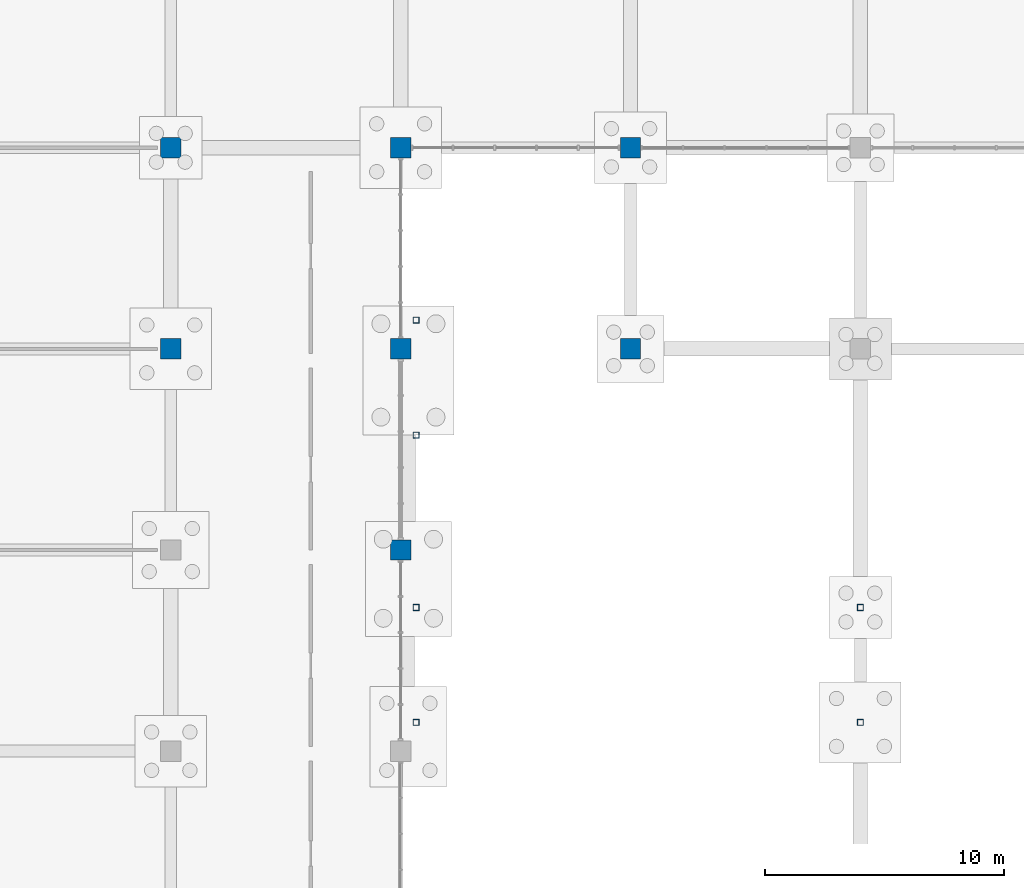
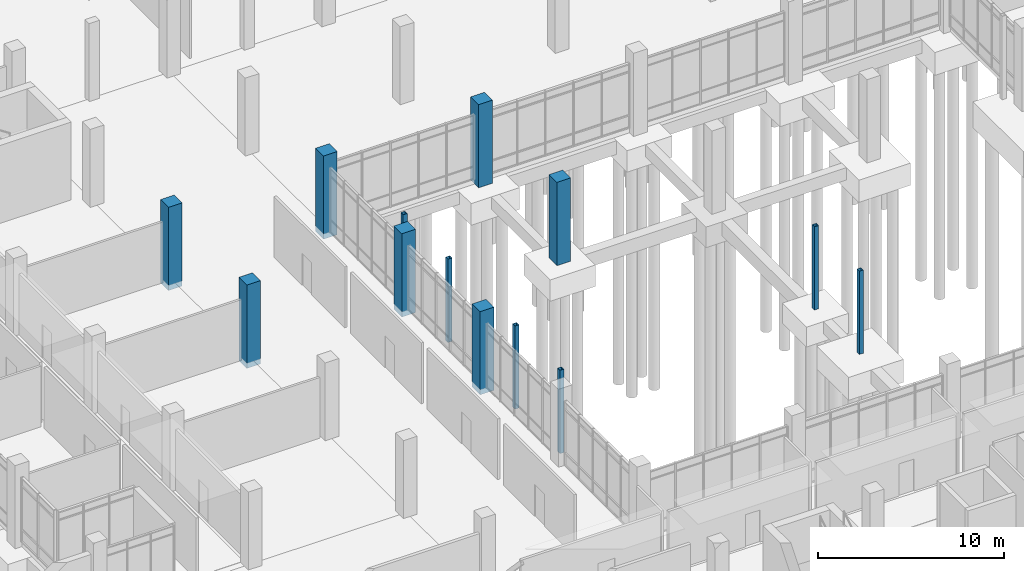
# One storey, part 23 of 136: 13 columns.
"""IFC4 building model written with IfcOpenShell, lengths in metres."""

from ifc_helpers import new_model, si_unit, direction, frame, origin, origin_2d, place, context, subcontext, project, spatial, rectangle, hollow_rectangle, extrude, material, material_profile, profile_set, type_object, element, save


model = new_model("IFC4")

# Units and contexts
model_context = context("Model", 3, precision=1e-05, world=origin(), true_north=direction((0.0, 1.0)))
body_context = subcontext(model_context, "Body", "Model", "MODEL_VIEW")
ifc_project = project(units=[si_unit("LENGTHUNIT", "METRE"), si_unit("AREAUNIT", "SQUARE_METRE"), si_unit("VOLUMEUNIT", "CUBIC_METRE"), si_unit("PLANEANGLEUNIT", "RADIAN"), si_unit("MASSUNIT", "GRAM", prefix="KILO")], contexts=[model_context])

# Site, building, storey
site_placement = place(None, origin())
site = spatial("IfcSite", under=ifc_project, at=site_placement, CompositionType="ELEMENT")
building_placement = place(site_placement, origin())
building = spatial("IfcBuilding", under=site, at=building_placement, Name="Oolite Switchyard Hospital", CompositionType="ELEMENT")
storey_placement = place(building_placement, origin())
storey = spatial("IfcBuildingStorey", under=building, at=storey_placement, Name="L00", CompositionType="ELEMENT", Elevation=0.0)

# Columns
ifc_material_1 = material(Name="Steel ASTM A500 Grade C", Category="steel")
ifc_material_profile_1 = material_profile(ifc_material_1, hollow_rectangle(XDim=0.25390625, YDim=0.25390625, WallThickness=0.012939453125, at=origin_2d()), Name="HSS254X254X13")
ifc_profile_set_1 = profile_set([ifc_material_profile_1], Name="Steel ASTM A500 Grade C")
column_type_1 = type_object("IfcColumnType", Name="COL-HSS254", PredefinedType="COLUMN", material=ifc_profile_set_1)
for number, where, z_axis, x_axis, name in (
    (1, (144.64990234375, 34.800048828125, -0.35009765625), (0.0, 0.0, 1.0), (1.0, 0.0, 0.0), "L00 Column 219"),
    (2, (144.64990234375, 39.60009765625, -0.35009765625), (0.0, 0.0, 1.0), (1.0, 0.0, 0.0), "L00 Column 220"),
    (3, (144.64990234375, 46.800048828125, -0.35009765625), (0.0, 0.0, 1.0), (1.0, 0.0, 0.0), "L00 Column 221"),
    (4, (144.64990234375, 51.60009765625, -0.35009765625), (0.0, 0.0, 1.0), (1.0, 0.0, 0.0), "L00 Column 222"),
    (5, (163.199951171875, 34.800048828125, -0.35009765625), (0.0, 0.0, 1.0), (1.0, 0.0, 0.0), "L00 Column 242"),
    (6, (163.199951171875, 39.60009765625, -0.35009765625), (0.0, 0.0, 1.0), (1.0, 0.0, 0.0), "L00 Column 243"),
):
    element("IfcColumn", number, at=place(storey_placement, frame(where, z_axis=z_axis, x_axis=x_axis)), inside=storey, type_object=column_type_1, Name=name, PredefinedType="COLUMN", context=body_context, shape_type="SweptSolid", body=[
        extrude(hollow_rectangle(XDim=0.25390625, YDim=0.25390625, WallThickness=0.012939453125, at=origin_2d()), origin(), (0.0, 0.0, 1.0), 5.4501953125),
    ])
ifc_material_2 = material(Name="Concrete C50/60", Category="concrete")
ifc_material_profile_2 = material_profile(ifc_material_2, rectangle(XDim=0.85009765625, YDim=0.85009765625, at=origin_2d()), Name="RC850X850")
ifc_profile_set_2 = profile_set([ifc_material_profile_2], Name="Concrete C50/60")
column_type_2 = type_object("IfcColumnType", Name="COL-RC850", PredefinedType="COLUMN", material=ifc_profile_set_2)
for number, where, z_axis, x_axis, name in (
    (7, (134.39990234375, 50.39990234375, -0.35009765625), (0.0, 0.0, 1.0), (1.0, 0.0, 0.0), "L00 Column 191"),
    (8, (134.39990234375, 58.800048828125, -0.35009765625), (0.0, 0.0, 1.0), (1.0, 0.0, 0.0), "L00 Column 192"),
    (9, (144.0, 42.0, -0.35009765625), (0.0, 0.0, 1.0), (1.0, 0.0, 0.0), "L00 Column 207"),
    (10, (144.0, 50.39990234375, -0.35009765625), (0.0, 0.0, 1.0), (1.0, 0.0, 0.0), "L00 Column 208"),
    (11, (144.0, 58.800048828125, -0.35009765625), (0.0, 0.0, 1.0), (1.0, 0.0, 0.0), "L00 Column 209"),
    (12, (153.60009765625, 50.39990234375, -0.35009765625), (0.0, 0.0, 1.0), (1.0, 0.0, 0.0), "L00 Column 227"),
    (13, (153.60009765625, 58.800048828125, -0.35009765625), (0.0, 0.0, 1.0), (1.0, 0.0, 0.0), "L00 Column 228"),
):
    element("IfcColumn", number, at=place(storey_placement, frame(where, z_axis=z_axis, x_axis=x_axis)), inside=storey, type_object=column_type_2, Name=name, PredefinedType="COLUMN", context=body_context, shape_type="SweptSolid", body=[
        extrude(rectangle(XDim=0.85009765625, YDim=0.85009765625, at=origin_2d()), origin(), (0.0, 0.0, 1.0), 5.4501953125),
    ])

save(model, "model.ifc")
